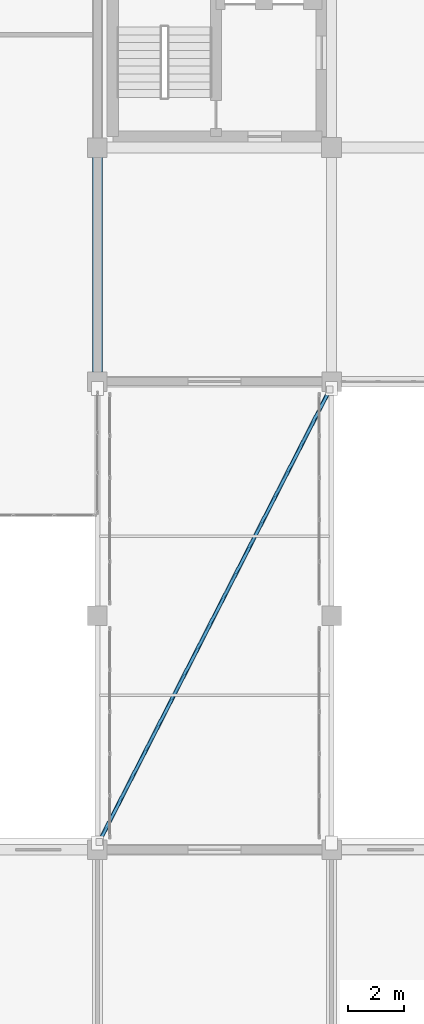
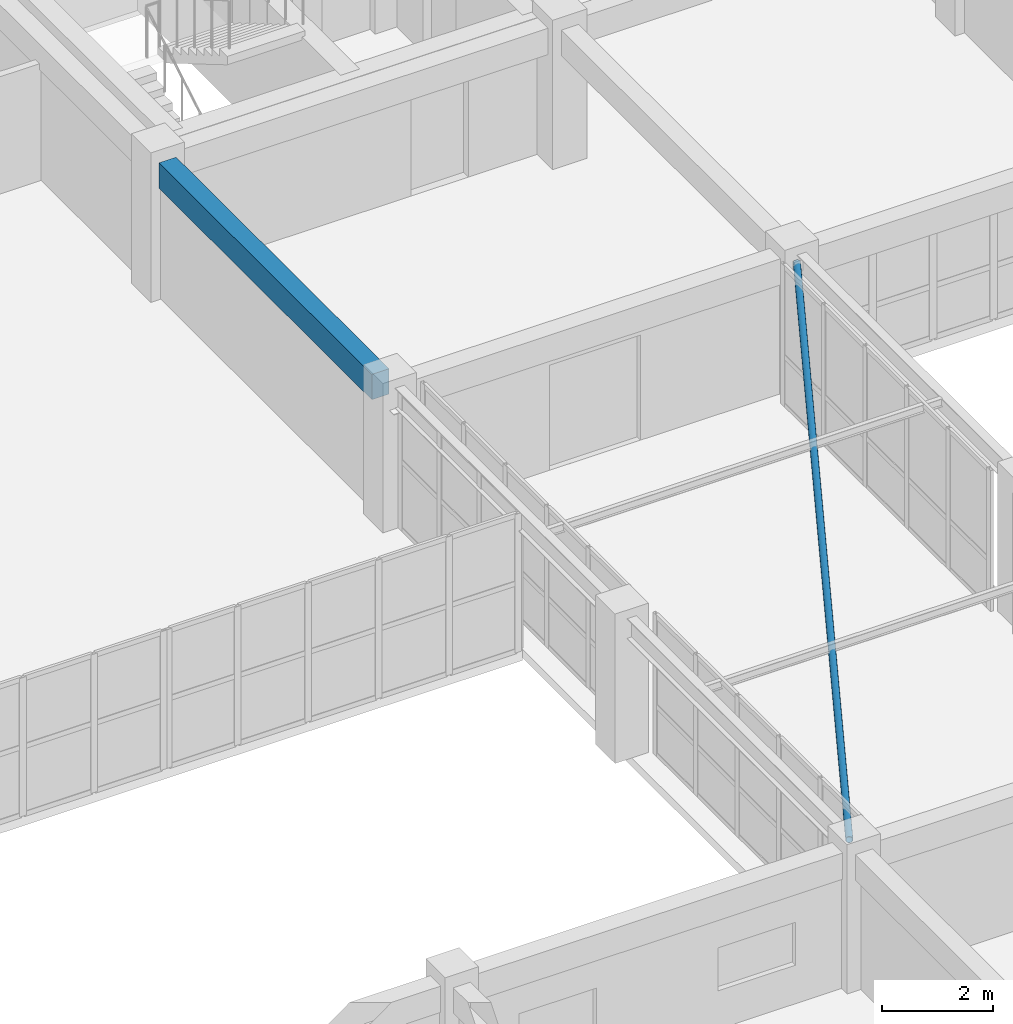
# One storey, part 36 of 148: 1 beam, 1 member.
"""IFC4 building model written with IfcOpenShell, lengths in metres."""

from ifc_helpers import new_model, si_unit, direction, frame, origin, origin_2d, place, context, subcontext, project, spatial, rectangle, hollow_circle, extrude, material, material_profile, profile_set, type_object, element, save


model = new_model("IFC4")

# Units and contexts
model_context = context("Model", 3, precision=1e-05, world=origin(), true_north=direction((0.0, 1.0)))
body_context = subcontext(model_context, "Body", "Model", "MODEL_VIEW")
ifc_project = project(units=[si_unit("LENGTHUNIT", "METRE"), si_unit("AREAUNIT", "SQUARE_METRE"), si_unit("VOLUMEUNIT", "CUBIC_METRE"), si_unit("PLANEANGLEUNIT", "RADIAN"), si_unit("MASSUNIT", "GRAM", prefix="KILO")], contexts=[model_context])

# Site, building, storey
site_placement = place(None, origin())
site = spatial("IfcSite", under=ifc_project, at=site_placement, CompositionType="ELEMENT")
building_placement = place(site_placement, origin())
building = spatial("IfcBuilding", under=site, at=building_placement, Name="Trelvath General Hospital", CompositionType="ELEMENT")
storey_placement = place(building_placement, frame((0.0, 0.0, 12.89990234375)))
storey = spatial("IfcBuildingStorey", under=building, at=storey_placement, Name="L03", CompositionType="ELEMENT", Elevation=12.89990234375)

# Beam
ifc_material_1 = material(Name="Concrete C35/45", Category="concrete")
ifc_material_profile_1 = material_profile(ifc_material_1, rectangle(XDim=0.360107421875, YDim=0.56005859375, at=origin_2d()), Name="RCB360x560")
ifc_profile_set_1 = profile_set([ifc_material_profile_1], Name="Concrete C35/45")
beam_type = type_object("IfcBeamType", Name="Beam RC360x560", PredefinedType="BEAM", material=ifc_profile_set_1)
beam_placement = place(storey_placement, frame((75.60009765625, 42.344970703125, 2.739990234375), z_axis=(0.0, 1.0, 0.0), x_axis=(-1.0, 0.0, 0.0)))
element("IfcBeam", 1, at=beam_placement, inside=storey, type_object=beam_type, Name="Grid Beam BY-309F", PredefinedType="BEAM", context=body_context, shape_type="SweptSolid", body=[
    extrude(rectangle(XDim=0.360107421875, YDim=0.56005859375, at=origin_2d()), origin(), (0.0, 0.0, 1.0), 7.7099609375),
])

# Member
ifc_material_2 = material(Name="Steel S355", Category="steel")
ifc_material_profile_2 = material_profile(ifc_material_2, hollow_circle(Radius=0.06982421875, WallThickness=0.00634765625, at=origin_2d()), Name="CHS139.7x6.3")
ifc_profile_set_2 = profile_set([ifc_material_profile_2], Name="Steel S355")
member_type = type_object("IfcMemberType", Name="BridgeBrace CHS139", PredefinedType="BRACE", material=ifc_profile_set_2)
member_placement = place(storey_placement, frame((75.659912109375, 25.47998046875, 2.885009765625), z_axis=(0.454223089501, 0.890887975542, 0.0), x_axis=(-0.890887975542, 0.454223089501, 0.0)))
element("IfcMember", 2, at=member_placement, inside=storey, type_object=member_type, Name="Bridge Lateral Brace BRG-S-C L04", PredefinedType="BRACE", context=body_context, shape_type="SweptSolid", body=[
    extrude(hollow_circle(Radius=0.06982421875, WallThickness=0.00634765625, at=origin_2d()), origin(), (0.0, 0.0, 1.0), 18.22900390625),
])

save(model, "model.ifc")
